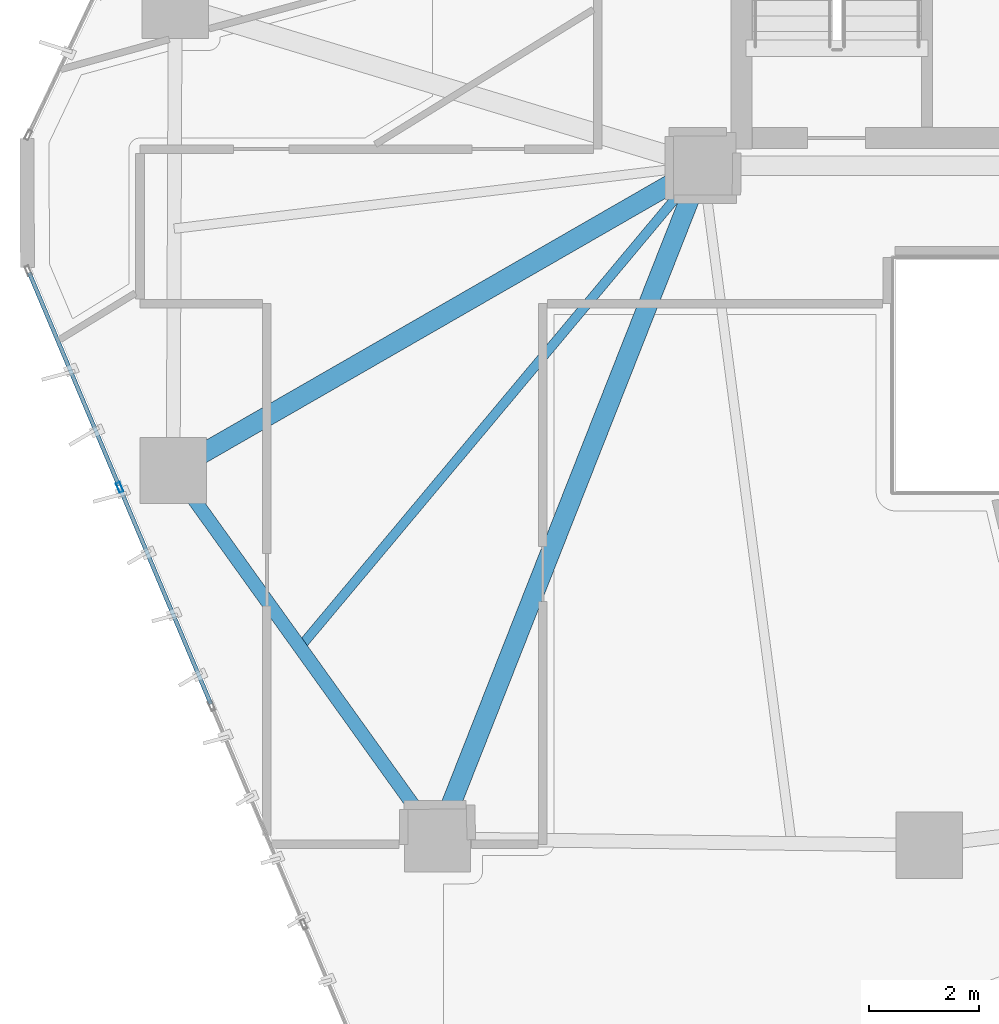
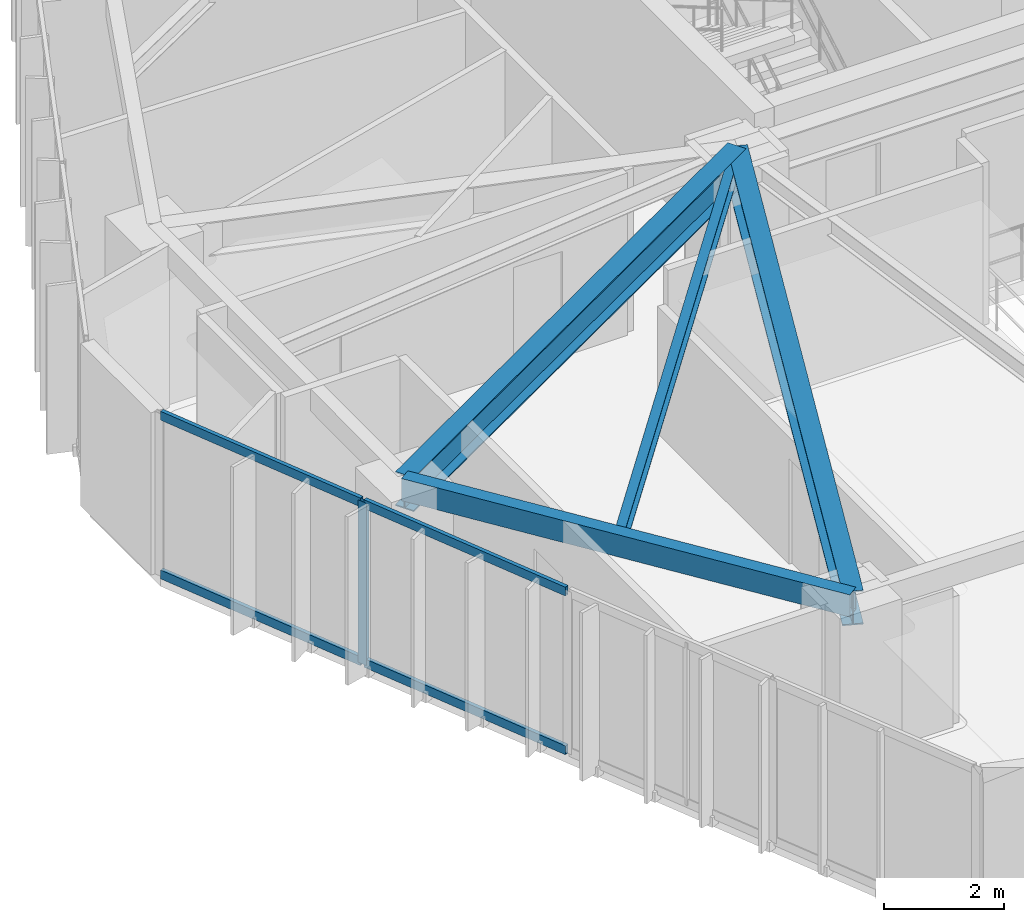
# One storey, part 3 of 22: 5 members, 4 beams, 1 element without a shape of its own.
"""IFC4 building model written with IfcOpenShell, lengths in metres."""

from ifc_helpers import new_model, si_unit, direction, frame, origin, origin_2d, place, context, subcontext, project, spatial, hollow_rectangle, i_section, extrude, source, transform, mapped, material, layer, layer_set, material_profile, profile_set, type_object, type_shapes, element, aggregate, save


model = new_model("IFC4")

# Units and contexts
model_context = context("Model", 3, precision=1e-05, world=origin(), true_north=direction((0.0, 1.0)))
body_context = subcontext(model_context, "Body", "Model", "MODEL_VIEW")
ifc_project = project(units=[si_unit("LENGTHUNIT", "METRE"), si_unit("AREAUNIT", "SQUARE_METRE"), si_unit("VOLUMEUNIT", "CUBIC_METRE"), si_unit("PLANEANGLEUNIT", "RADIAN"), si_unit("MASSUNIT", "GRAM", prefix="KILO")], contexts=[model_context])

# Site, building, storey
site_placement = place(None, origin())
site = spatial("IfcSite", under=ifc_project, at=site_placement, CompositionType="ELEMENT")
building_placement = place(site_placement, origin())
building = spatial("IfcBuilding", under=site, at=building_placement, Name="Talar Marvaseh", CompositionType="ELEMENT")
storey_placement = place(building_placement, frame((0.0, 0.0, 150.60009765625)))
storey = spatial("IfcBuildingStorey", under=building, at=storey_placement, Name="L39", CompositionType="ELEMENT", Elevation=150.60009765625)

# Beams
ifc_material_1 = material(Name="Steel S355", Category="steel")
ifc_material_profile_1 = material_profile(ifc_material_1, hollow_rectangle(XDim=0.25, YDim=0.449951171875, WallThickness=0.01611328125, at=origin_2d()), Name="RHS450x250x16")
ifc_profile_set_1 = profile_set([ifc_material_profile_1], Name="Steel S355")
beam_type_1 = type_object("IfcBeamType", Name="Zone 2 Perimeter Spandrel Beam RHS450x250x16", PredefinedType="SPANDREL", material=ifc_profile_set_1)
beam_1_placement = place(storey_placement, frame((13.89111328125, 13.299072265625, 3.0849609375), z_axis=(-0.582852871994, 0.812577706812, 0.0), x_axis=(-0.812577706812, -0.582852871994, 0.0)))
element("IfcBeam", 1, at=beam_1_placement, inside=storey, type_object=beam_type_1, Name="L39 Zone 2 Perimeter Spandrel Beam RHS450x250x16", PredefinedType="SPANDREL", context=body_context, shape_type="SweptSolid", body=[
    extrude(hollow_rectangle(XDim=0.25, YDim=0.449951171875, WallThickness=0.01611328125, at=origin_2d()), origin(), (0.0, 0.0, 1.0), 8.21826171875),
])
ifc_material_profile_2 = material_profile(ifc_material_1, i_section(OverallWidth=0.35498046875, OverallDepth=0.695068359375, WebThickness=0.015380859375, FlangeThickness=0.02490234375, at=origin_2d()), Name="W690x217")
ifc_profile_set_2 = profile_set([ifc_material_profile_2], Name="Steel S355")
beam_type_2 = type_object("IfcBeamType", Name="Zone 2 Radial Floor Girder W690x217", PredefinedType="BEAM", material=ifc_profile_set_2)
beam_2_placement = place(storey_placement, frame((13.89111328125, 13.299072265625, 2.96240234375), z_axis=(0.366683712786, 0.930345664136, 0.0), x_axis=(-0.930345664136, 0.366683712786, 0.0)))
element("IfcBeam", 2, at=beam_2_placement, inside=storey, type_object=beam_type_2, Name="L39 Zone 2 Radial Floor Girder W690x217", PredefinedType="BEAM", context=body_context, shape_type="SweptSolid", body=[
    extrude(i_section(OverallWidth=0.35498046875, OverallDepth=0.695068359375, WebThickness=0.015380859375, FlangeThickness=0.02490234375, at=origin_2d()), origin(), (0.0, 0.0, 1.0), 13.114501953125),
])
beam_3_placement = place(storey_placement, frame((9.10107421875, 19.97705078125, 2.96240234375), z_axis=(0.866765990926, 0.498715065919, 0.0), x_axis=(-0.498715065919, 0.866765990926, 0.0)))
element("IfcBeam", 3, at=beam_3_placement, inside=storey, type_object=beam_type_2, Name="L39 Zone 2 Radial Floor Girder W690x217", PredefinedType="BEAM", context=body_context, shape_type="SweptSolid", body=[
    extrude(i_section(OverallWidth=0.35498046875, OverallDepth=0.695068359375, WebThickness=0.015380859375, FlangeThickness=0.02490234375, at=origin_2d()), origin(), (0.0, 0.0, 1.0), 11.074462890625),
])
ifc_material_profile_3 = material_profile(ifc_material_1, i_section(OverallWidth=0.172119140625, OverallDepth=0.35791015625, WebThickness=0.0078125, FlangeThickness=0.01318359375, at=origin_2d()), Name="W360x57")
ifc_profile_set_3 = profile_set([ifc_material_profile_3], Name="Steel S355")
beam_type_3 = type_object("IfcBeamType", Name="Zone 2 Secondary Floor Joist W360x57", PredefinedType="JOIST", material=ifc_profile_set_3)
beam_4_placement = place(storey_placement, frame((11.400146484375, 16.771484375, 3.130859375), z_axis=(0.641534082313, 0.767094532135, 0.0), x_axis=(-0.767094532135, 0.641534082313, 0.0)))
element("IfcBeam", 4, at=beam_4_placement, inside=storey, type_object=beam_type_3, Name="L39 Zone 2 Secondary Floor Joist W360x57", PredefinedType="JOIST", context=body_context, shape_type="SweptSolid", body=[
    extrude(i_section(OverallWidth=0.172119140625, OverallDepth=0.35791015625, WebThickness=0.0078125, FlangeThickness=0.01318359375, at=origin_2d()), origin(), (0.0, 0.0, 1.0), 11.378662109375),
])

# Curtain wall, members
ifc_material_2 = material(Name="Architectural Aluminium", Category="aluminium")
ifc_layer = layer(ifc_material_2, 0.199951171875)
ifc_layer_set = layer_set([ifc_layer], Name="Architectural Aluminium")
curtain_wall_type = type_object("IfcCurtainWallType", Name="Unitised Acoustic Library Curtain Wall Z2", PredefinedType="NOTDEFINED", material=ifc_layer_set)
curtain_wall_placement = place(storey_placement, origin())
curtain_wall = element("IfcCurtainWall", 5, at=curtain_wall_placement, inside=storey, type_object=curtain_wall_type, Name="L39 Unitised Acoustic Library Curtain Wall Z2", PredefinedType="NOTDEFINED")
ifc_material_profile_4 = material_profile(ifc_material_2, hollow_rectangle(XDim=0.074951171875, YDim=0.179931640625, WallThickness=0.0048828125, at=origin_2d()), Name="RHS180x75x5")
ifc_profile_set_4 = profile_set([ifc_material_profile_4], Name="Architectural Aluminium")
member_type_1 = type_object("IfcMemberType", Name="Unitised Curtain Wall Transom RHS180x75x5", PredefinedType="USERDEFINED", material=ifc_profile_set_4)
shared_shape_1 = source(origin(), body_context, "Body", "SweptSolid", [
    extrude(hollow_rectangle(XDim=0.074951171875, YDim=0.179931640625, WallThickness=0.0048828125, at=origin_2d()), origin(), (0.0, 0.0, 1.0), 4.222900390625),
])
member_1_placement = place(storey_placement, frame((9.78515625, 15.742919921875, 0.037353515625), z_axis=(-0.388224996018, 0.92156462197, 0.0), x_axis=(-0.92156462197, -0.388224996018, 0.0)))
member_1 = element("IfcMember", 6, at=member_1_placement, type_object=member_type_1, Name="CW-Z2 transom 3.1", ObjectType="TRANSOM", PredefinedType="USERDEFINED", context=body_context, shape_type="MappedRepresentation", body=[
    mapped(shared_shape_1, transform((0.0, 0.0, 0.0), x_axis=(1.0, 0.0, 0.0), y_axis=(0.0, 1.0, 0.0), z_axis=(0.0, 0.0, 1.0), scale=1.0)),
])
member_2_placement = place(storey_placement, frame((9.78515625, 15.742919921875, 3.2724609375), z_axis=(-0.388224996018, 0.92156462197, 0.0), x_axis=(-0.92156462197, -0.388224996018, 0.0)))
member_2 = element("IfcMember", 7, at=member_2_placement, type_object=member_type_1, Name="CW-Z2 transom 3.2", ObjectType="TRANSOM", PredefinedType="USERDEFINED", context=body_context, shape_type="MappedRepresentation", body=[
    mapped(shared_shape_1, transform((0.0, 0.0, 0.0), x_axis=(1.0, 0.0, 0.0), y_axis=(0.0, 1.0, 0.0), z_axis=(0.0, 0.0, 1.0), scale=1.0)),
])
shared_shape_2 = source(origin(), body_context, "Body", "SweptSolid", [
    extrude(hollow_rectangle(XDim=0.074951171875, YDim=0.179931640625, WallThickness=0.0048828125, at=origin_2d()), origin(), (0.0, 0.0, 1.0), 4.185546875),
])
type_shapes(member_type_1, [shared_shape_1, shared_shape_2])
member_3_placement = place(storey_placement, frame((8.116455078125, 19.70361328125, 0.037353515625), z_axis=(-0.388244746111, 0.921556301654, 0.0), x_axis=(-0.921556301654, -0.388244746111, 0.0)))
member_3 = element("IfcMember", 8, at=member_3_placement, type_object=member_type_1, Name="CW-Z2 transom 4.1", ObjectType="TRANSOM", PredefinedType="USERDEFINED", context=body_context, shape_type="MappedRepresentation", body=[
    mapped(shared_shape_2, transform((0.0, 0.0, 0.0), x_axis=(1.0, 0.0, 0.0), y_axis=(0.0, 1.0, 0.0), z_axis=(0.0, 0.0, 1.0), scale=1.0)),
])
member_4_placement = place(storey_placement, frame((8.116455078125, 19.70361328125, 3.2724609375), z_axis=(-0.388244746111, 0.921556301654, 0.0), x_axis=(-0.921556301654, -0.388244746111, 0.0)))
member_4 = element("IfcMember", 9, at=member_4_placement, type_object=member_type_1, Name="CW-Z2 transom 4.2", ObjectType="TRANSOM", PredefinedType="USERDEFINED", context=body_context, shape_type="MappedRepresentation", body=[
    mapped(shared_shape_2, transform((0.0, 0.0, 0.0), x_axis=(1.0, 0.0, 0.0), y_axis=(0.0, 1.0, 0.0), z_axis=(0.0, 0.0, 1.0), scale=1.0)),
])
ifc_material_profile_5 = material_profile(ifc_material_2, hollow_rectangle(XDim=0.074951171875, YDim=0.179931640625, WallThickness=0.0048828125, at=origin_2d()), Name="RHS180x75x5")
ifc_profile_set_5 = profile_set([ifc_material_profile_5], Name="Architectural Aluminium")
member_type_2 = type_object("IfcMemberType", Name="Unitised Curtain Wall Standard Mullion RHS180x75x5", PredefinedType="MULLION", material=ifc_profile_set_5)
shared_shape_3 = source(origin(), body_context, "Body", "SweptSolid", [
    extrude(hollow_rectangle(XDim=0.074951171875, YDim=0.179931640625, WallThickness=0.0048828125, at=origin_2d()), origin(), (0.0, 0.0, 1.0), 3.309814453125),
])
type_shapes(member_type_2, [shared_shape_3])
member_5_placement = place(storey_placement, frame((8.131103515625, 19.669189453125, 0.0), z_axis=(0.0, 0.0, 1.0), x_axis=(-0.921549948496, -0.388259825924, 0.0)))
member_5 = element("IfcMember", 10, at=member_5_placement, type_object=member_type_2, Name="CW-Z2 mullion 4", PredefinedType="MULLION", context=body_context, shape_type="MappedRepresentation", body=[
    mapped(shared_shape_3, transform((0.0, 0.0, 0.0), x_axis=(1.0, 0.0, 0.0), y_axis=(0.0, 1.0, 0.0), z_axis=(0.0, 0.0, 1.0), scale=1.0)),
])
aggregate(curtain_wall, [member_5, member_1, member_2, member_3, member_4])

save(model, "model.ifc")
